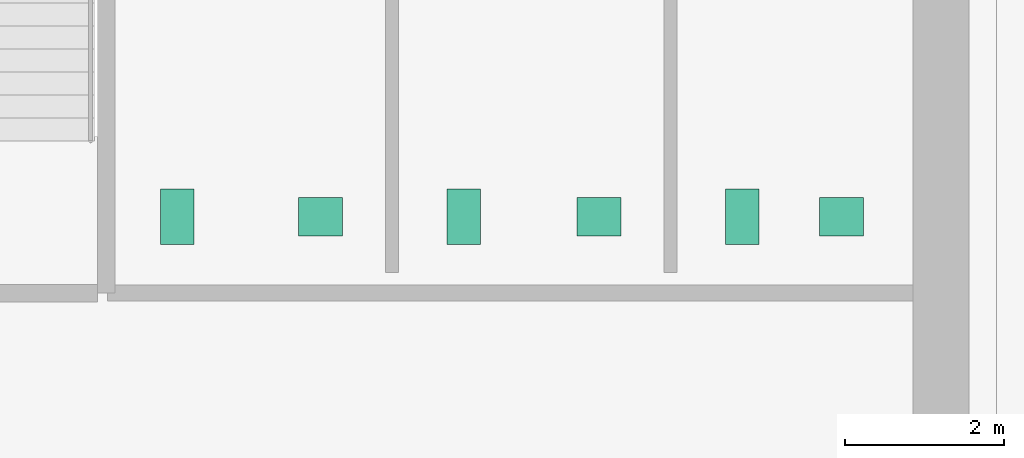
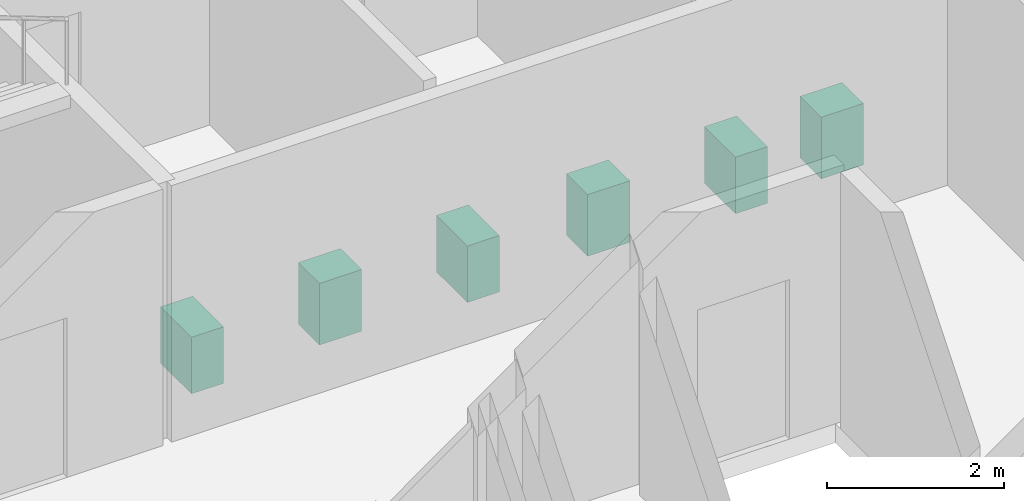
# One storey, part 13 of 13: 6 sanitary terminals.
"""IFC4 building model written with IfcOpenShell, lengths in metres."""

import ifcopenshell
import ifcopenshell.guid

model = None  # the IFC model being written
_history = None  # IfcOwnerHistory: only IFC2X3 demands one
_inside = {}  # id of a spatial element -> (the spatial element, [elements in it])
_under = {}  # id of a project, library or spatial element -> (it, [spatial elements below it])
_declared = {}  # id of a project -> (the project, [libraries it declares])
_typed = {}  # id of a type object -> (the type object, [elements of that type])
_made_of = {}  # id of a material, layer set ... -> (it, [elements and type objects made of it])


def new_model(schema):
    """Start an empty IFC model of exactly this schema.

    Asked for "IFC4X3", IfcOpenShell would pick the latest addendum, in which some entities
    have other attributes; the version numbers below select the first issue.
    IFC2X3 requires an IfcOwnerHistory on every rooted entity: one is made here for all.
    """
    global model, _history
    if schema == "IFC4X3":
        model = ifcopenshell.file(schema_version=(4, 3, 0, 0))
    else:
        model = ifcopenshell.file(schema=schema)
    _inside.clear()
    _under.clear()
    _declared.clear()
    _typed.clear()
    _made_of.clear()
    _history = None
    if model.schema == "IFC2X3":
        org = make("IfcOrganization", Name="unknown")
        user = make(
            "IfcPersonAndOrganization",
            ThePerson=make("IfcPerson", FamilyName="unknown"),
            TheOrganization=org,
        )
        app = make(
            "IfcApplication",
            ApplicationDeveloper=org,
            Version="unknown",
            ApplicationFullName="unknown",
            ApplicationIdentifier="unknown",
        )
        _history = make(
            "IfcOwnerHistory",
            OwningUser=user,
            OwningApplication=app,
            ChangeAction="ADDED",
            CreationDate=0,
        )
    return model


def make(cls, **values):
    """One entity of the class cls with the attributes given. An attribute that is None is left unset."""
    return model.create_entity(
        cls, **{name: value for name, value in values.items() if value is not None}
    )


def rooted(cls, **values):
    """An entity with a GlobalId (a new one), such as an element, a storey or a relation."""
    return make(cls, GlobalId=ifcopenshell.guid.new(), OwnerHistory=_history, **values)


def si_unit(unit_type, name, prefix=None):
    """IfcSIUnit, for example si_unit("LENGTHUNIT", "METRE", prefix="MILLI")."""
    return make("IfcSIUnit", UnitType=unit_type, Prefix=prefix, Name=name)


def assignment(units):
    """IfcUnitAssignment: the units of a project."""
    return None if units is None else make("IfcUnitAssignment", Units=units)


def point(xyz):
    """IfcCartesianPoint."""
    return None if xyz is None else make("IfcCartesianPoint", Coordinates=xyz)


def direction(xyz):
    """IfcDirection."""
    return None if xyz is None else make("IfcDirection", DirectionRatios=xyz)


def frame(location, z_axis=None, x_axis=None):
    """IfcAxis2Placement3D, a coordinate frame: its origin and axes. An axis left out is left unset."""
    return make(
        "IfcAxis2Placement3D",
        Location=point(location),
        Axis=direction(z_axis),
        RefDirection=direction(x_axis),
    )


def frame_2d(location, x_axis=None):
    """IfcAxis2Placement2D, a coordinate frame in the plane: its origin and x axis."""
    return make(
        "IfcAxis2Placement2D", Location=point(location), RefDirection=direction(x_axis)
    )


def origin():
    """The frame at (0, 0, 0) with its axes left unset."""
    return frame((0.0, 0.0, 0.0))


def origin_2d():
    """The frame at (0, 0) in the plane with its x axis left unset."""
    return frame_2d((0.0, 0.0))


def place(relative_to, where):
    """IfcLocalPlacement: puts the frame where relative to a parent placement (None: the world)."""
    return make(
        "IfcLocalPlacement", PlacementRelTo=relative_to, RelativePlacement=where
    )


def context(
    kind, dimensions, precision=None, world=None, true_north=None, identifier=None
):
    """IfcGeometricRepresentationContext, for example the 3D "Model" context."""
    return make(
        "IfcGeometricRepresentationContext",
        ContextIdentifier=identifier,
        ContextType=kind,
        CoordinateSpaceDimension=dimensions,
        Precision=precision,
        WorldCoordinateSystem=world,
        TrueNorth=true_north,
    )


def subcontext(parent, identifier, kind, view, scale=None):
    """IfcGeometricRepresentationSubContext, for example "Body" below "Model"."""
    return make(
        "IfcGeometricRepresentationSubContext",
        ContextIdentifier=identifier,
        ContextType=kind,
        ParentContext=parent,
        TargetScale=scale,
        TargetView=view,
    )


def project(units=None, contexts=None):
    """IfcProject with its units and contexts."""
    return rooted(
        "IfcProject",
        Name="project",
        RepresentationContexts=contexts,
        UnitsInContext=assignment(units),
    )


def spatial(cls, under=None, at=None, **own):
    """A site, building, storey or space (cls), placed at a placement, below another one or the project."""
    s = rooted(cls, ObjectPlacement=at, **own)
    if under is not None:
        _under.setdefault(under.id(), (under, []))[1].append(s)
    return s


def profile(cls, at=None, kind="AREA", **sizes):
    """A parametric profile (cls). Its sizes go by their IFC names, for example OverallWidth=200.0."""
    return make(cls, ProfileType=kind, Position=at, **sizes)


def rectangle(**sizes):
    """IfcRectangleProfileDef."""
    return profile("IfcRectangleProfileDef", **sizes)


def extrude(swept, where, along, depth):
    """IfcExtrudedAreaSolid: the profile swept, set in the frame where, extruded along a direction by depth."""
    return make(
        "IfcExtrudedAreaSolid",
        SweptArea=swept,
        Position=where,
        ExtrudedDirection=direction(along),
        Depth=depth,
    )


def shape(context_of_items, identifier, shape_type, items):
    """IfcShapeRepresentation: the items that make up one representation, for example the "Body"."""
    return make(
        "IfcShapeRepresentation",
        ContextOfItems=context_of_items,
        RepresentationIdentifier=identifier,
        RepresentationType=shape_type,
        Items=items,
    )


def material(Name=None, Category=None):
    """IfcMaterial."""
    return make("IfcMaterial", Name=Name, Category=Category)


def made_of(thing, what):
    """Note that an element or type object is made of a material, layer set ...; save() writes the relation."""
    if what is not None:
        _made_of.setdefault(what.id(), (what, []))[1].append(thing)
    return thing


def type_object(cls, material=None, **own):
    """A type object (cls), such as IfcWallType, which elements share."""
    return made_of(rooted(cls, **own), material)


def element(
    cls,
    number,
    at=None,
    inside=None,
    cuts=None,
    type_object=None,
    material=None,
    context=None,
    identifier="Body",
    shape_type=None,
    held_by="IfcProductDefinitionShape",
    body=None,
    shapes=None,
    **own,
):
    """One element of the class cls, such as IfcWall. Its Tag is "e" and its number.

    at: its placement. inside: the storey or other place that contains it. cuts: it is an
    opening in that element (IfcRelVoidsElement). A single representation is given by context,
    identifier, shape_type and body (its items); several are given by shapes. held_by: the class
    of the entity that holds the representations. save() writes the other relations.
    """
    e = rooted(cls, Tag="e%d" % number, ObjectPlacement=at, **own)
    if body is not None:
        shapes = [shape(context, identifier, shape_type, body)]
    if shapes is not None:
        e.Representation = make(held_by, Representations=shapes)
    if inside is not None:
        _inside.setdefault(inside.id(), (inside, []))[1].append(e)
    if cuts is not None:
        rooted(
            "IfcRelVoidsElement", RelatingBuildingElement=cuts, RelatedOpeningElement=e
        )
    if type_object is not None:
        _typed.setdefault(type_object.id(), (type_object, []))[1].append(e)
    return made_of(e, material)


def aggregate(whole, parts):
    """IfcRelAggregates: a whole, such as a stair, and the parts it consists of."""
    return rooted("IfcRelAggregates", RelatingObject=whole, RelatedObjects=parts)


def save(model, path):
    """Write the relations noted so far, then the file.

    IfcRelAggregates (storeys below a building ...), IfcRelContainedInSpatialStructure (elements
    in a storey), IfcRelDefinesByType, IfcRelAssociatesMaterial and IfcRelDeclares: one each for
    every whole, place, type object, material and project.
    """
    for whole, parts in _under.values():
        aggregate(whole, parts)
    for where, things in _inside.values():
        rooted(
            "IfcRelContainedInSpatialStructure",
            RelatedElements=things,
            RelatingStructure=where,
        )
    for kind, things in _typed.values():
        rooted("IfcRelDefinesByType", RelatedObjects=things, RelatingType=kind)
    for what, things in _made_of.values():
        rooted("IfcRelAssociatesMaterial", RelatedObjects=things, RelatingMaterial=what)
    for by, libraries in _declared.values():
        rooted("IfcRelDeclares", RelatingContext=by, RelatedDefinitions=libraries)
    model.write(path)


model = new_model("IFC4")

# Units and contexts
model_context = context("Model", 3, precision=1e-05, world=origin(), true_north=direction((0.0, 1.0)))
body_context = subcontext(model_context, "Body", "Model", "MODEL_VIEW")
ifc_project = project(units=[si_unit("LENGTHUNIT", "METRE"), si_unit("AREAUNIT", "SQUARE_METRE"), si_unit("VOLUMEUNIT", "CUBIC_METRE"), si_unit("PLANEANGLEUNIT", "RADIAN"), si_unit("MASSUNIT", "GRAM", prefix="KILO")], contexts=[model_context])

# Site, building, storey
site_placement = place(None, origin())
site = spatial("IfcSite", under=ifc_project, at=site_placement, CompositionType="ELEMENT")
building_placement = place(site_placement, origin())
building = spatial("IfcBuilding", under=site, at=building_placement, Name="Norrvale University Quadrangle", CompositionType="ELEMENT")
storey_placement = place(building_placement, frame((0.0, 0.0, 178.800048828125)))
storey = spatial("IfcBuildingStorey", under=building, at=storey_placement, Name="L45", CompositionType="ELEMENT", Elevation=178.800048828125)

# Sanitary terminals
ifc_material = material(Name="Vitreous China Sanitaryware")
sanitary_terminal_type_1 = type_object("IfcSanitaryTerminalType", Name="Sanitary Wash Basin", PredefinedType="WASHHANDBASIN", material=ifc_material)
for number, where, z_axis, x_axis, name in (
    (1, (9.0, 41.10009765625, 0.0), (0.0, 0.0, 1.0), (1.0, 0.0, 0.0), "Accessible Countertop Washbasin L45-1"),
    (2, (12.5, 41.10009765625, 0.0), (0.0, 0.0, 1.0), (1.0, 0.0, 0.0), "Accessible Countertop Washbasin L45-2"),
    (3, (15.550048828125, 41.10009765625, 0.0), (0.0, 0.0, 1.0), (1.0, 0.0, 0.0), "Accessible Countertop Washbasin L45-3"),
):
    element("IfcSanitaryTerminal", number, at=place(storey_placement, frame(where, z_axis=z_axis, x_axis=x_axis)), inside=storey, type_object=sanitary_terminal_type_1, Name=name, PredefinedType="WASHHANDBASIN", context=body_context, shape_type="SweptSolid", body=[
        extrude(rectangle(XDim=0.550048828125, YDim=0.47998046875, at=origin_2d()), origin(), (0.0, 0.0, 1.0), 0.85009765625),
    ])
sanitary_terminal_type_2 = type_object("IfcSanitaryTerminalType", Name="Sanitary Water Closet", PredefinedType="TOILETPAN", material=ifc_material)
for number, where, z_axis, x_axis, name in (
    (4, (7.199951171875, 41.10009765625, 0.0), (0.0, 0.0, 1.0), (1.0, 0.0, 0.0), "Wall-Hung Water Closet L45-1"),
    (5, (10.800048828125, 41.10009765625, 0.0), (0.0, 0.0, 1.0), (1.0, 0.0, 0.0), "Wall-Hung Water Closet L45-2"),
    (6, (14.300048828125, 41.10009765625, 0.0), (0.0, 0.0, 1.0), (1.0, 0.0, 0.0), "Wall-Hung Water Closet L45-3"),
):
    element("IfcSanitaryTerminal", number, at=place(storey_placement, frame(where, z_axis=z_axis, x_axis=x_axis)), inside=storey, type_object=sanitary_terminal_type_2, Name=name, PredefinedType="TOILETPAN", context=body_context, shape_type="SweptSolid", body=[
        extrude(rectangle(XDim=0.419921875, YDim=0.699951171875, at=origin_2d()), origin(), (0.0, 0.0, 1.0), 0.780029296875),
    ])

save(model, "model.ifc")
